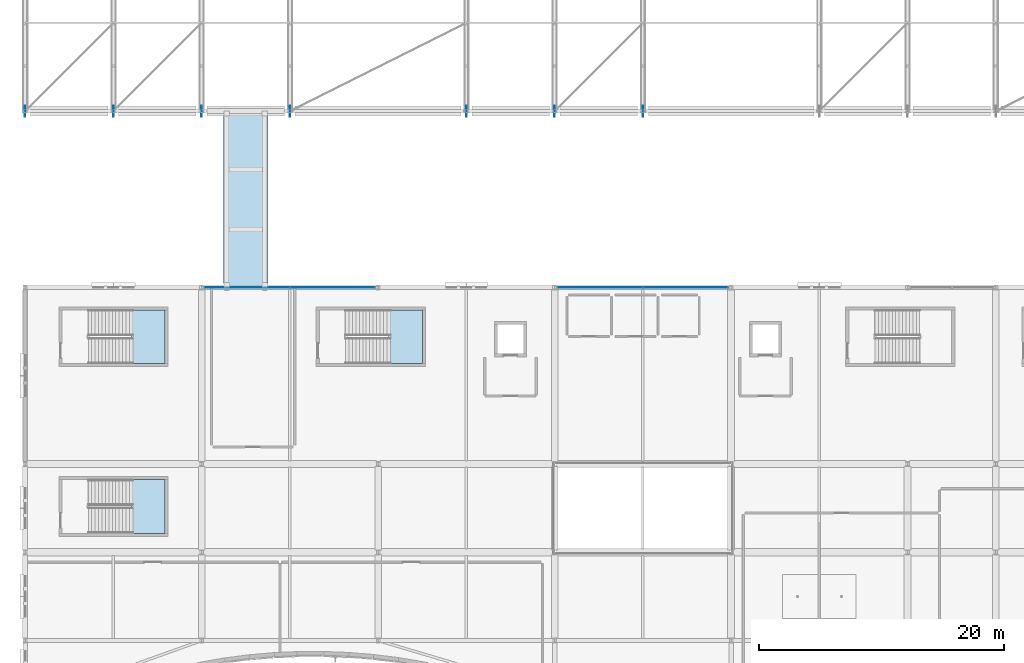
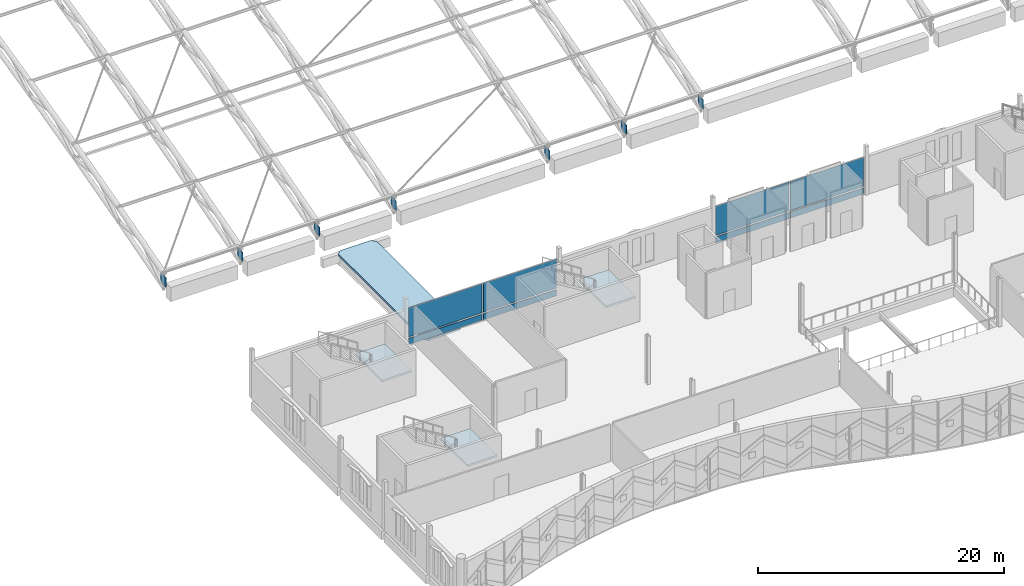
# One storey, part 112 of 193: 15 plates, 4 slabs, 5 elements without a shape of their own.
"""IFC4 building model written with IfcOpenShell, lengths in metres."""

from ifc_helpers import new_model, si_unit, direction, frame, origin, origin_2d, place, context, subcontext, project, spatial, polyline, rectangle, outline, extrude, material, layer, layer_set, type_object, element, aggregate, save


model = new_model("IFC4")

# Units and contexts
model_context = context("Model", 3, precision=1e-05, world=origin(), true_north=direction((0.0, 1.0)))
body_context = subcontext(model_context, "Body", "Model", "MODEL_VIEW")
ifc_project = project(units=[si_unit("LENGTHUNIT", "METRE"), si_unit("AREAUNIT", "SQUARE_METRE"), si_unit("VOLUMEUNIT", "CUBIC_METRE"), si_unit("PLANEANGLEUNIT", "RADIAN"), si_unit("MASSUNIT", "GRAM", prefix="KILO")], contexts=[model_context])

# Site, building, storey
site_placement = place(None, origin())
site = spatial("IfcSite", under=ifc_project, at=site_placement, CompositionType="ELEMENT")
building_placement = place(site_placement, origin())
building = spatial("IfcBuilding", under=site, at=building_placement, Name="Cendralis Lancet Convention Centre", CompositionType="ELEMENT")
storey_placement = place(building_placement, frame((0.0, 0.0, 10.199951171875)))
storey = spatial("IfcBuildingStorey", under=building, at=storey_placement, Name="L02", CompositionType="ELEMENT", Elevation=10.199951171875)

# Curtain wall, plates
ifc_material_1 = material(Name="Anodised bronze architectural aluminium", Category="aluminium")
curtain_wall_type = type_object("IfcCurtainWallType", Name="ARC-CW-CL02", PredefinedType="USERDEFINED", material=ifc_material_1)
curtain_wall_1_placement = place(storey_placement, origin())
curtain_wall_1 = element("IfcCurtainWall", 1, at=curtain_wall_1_placement, inside=storey, type_object=curtain_wall_type, Name="L02 Curtain Wall CW-CL2 #170", ObjectType="CURTAIN WALL", PredefinedType="USERDEFINED")
ifc_material_2 = material(Name="Double-glazed low-E solar-control glass", Category="glass")
ifc_layer_1 = layer(ifc_material_2, 0.035888671875, Name="Double-glazed low-E solar-control glass")
ifc_layer_set_1 = layer_set([ifc_layer_1], Name="Double-glazed low-E solar-control glass")
plate_type_1 = type_object("IfcPlateType", Name="ARC-PL-GL03", PredefinedType="CURTAIN_PANEL", material=ifc_layer_set_1)
plate_1_placement = place(storey_placement, frame((18.10009765625, 36.0, 0.81982421875), z_axis=(0.0, 0.0, 1.0), x_axis=(1.0, 0.0, 0.0)))
plate_1 = element("IfcPlate", 2, at=plate_1_placement, type_object=plate_type_1, Name="Vision Glass Panel CW2-CW-CL2-L02-170-PG0", PredefinedType="CURTAIN_PANEL", context=body_context, shape_type="SweptSolid", body=[
    extrude(rectangle(XDim=6.860107421875, YDim=0.035888671875, at=origin_2d()), origin(), (0.0, 0.0, 1.0), 2.885009765625),
])
plate_2_placement = place(storey_placement, frame((25.10009765625, 36.0, 0.81982421875), z_axis=(0.0, 0.0, 1.0), x_axis=(1.0, 0.0, 0.0)))
plate_2 = element("IfcPlate", 3, at=plate_2_placement, type_object=plate_type_1, Name="Vision Glass Panel CW2-CW-CL2-L02-170-PG1", PredefinedType="CURTAIN_PANEL", context=body_context, shape_type="SweptSolid", body=[
    extrude(rectangle(XDim=6.860107421875, YDim=0.035888671875, at=origin_2d()), origin(), (0.0, 0.0, 1.0), 2.885009765625),
])

curtain_wall_2_placement = place(storey_placement, origin())
curtain_wall_2 = element("IfcCurtainWall", 4, at=curtain_wall_2_placement, inside=storey, type_object=curtain_wall_type, Name="L02 Curtain Wall CW-CL2 #171", ObjectType="CURTAIN WALL", PredefinedType="USERDEFINED")
plate_3_placement = place(storey_placement, frame((46.89990234375, 36.0, 0.81982421875), z_axis=(0.0, 0.0, 1.0), x_axis=(1.0, 0.0, 0.0)))
plate_3 = element("IfcPlate", 5, at=plate_3_placement, type_object=plate_type_1, Name="Vision Glass Panel CW2-CW-CL2-L02-171-PG0", PredefinedType="CURTAIN_PANEL", context=body_context, shape_type="SweptSolid", body=[
    extrude(rectangle(XDim=6.860107421875, YDim=0.035888671875, at=origin_2d()), origin(), (0.0, 0.0, 1.0), 2.885009765625),
])
plate_4_placement = place(storey_placement, frame((53.89990234375, 36.0, 0.81982421875), z_axis=(0.0, 0.0, 1.0), x_axis=(1.0, 0.0, 0.0)))
plate_4 = element("IfcPlate", 6, at=plate_4_placement, type_object=plate_type_1, Name="Vision Glass Panel CW2-CW-CL2-L02-171-PG1", PredefinedType="CURTAIN_PANEL", context=body_context, shape_type="SweptSolid", body=[
    extrude(rectangle(XDim=6.860107421875, YDim=0.035888671875, at=origin_2d()), origin(), (0.0, 0.0, 1.0), 2.885009765625),
])

# Plate
ifc_material_3 = material(Name="Insulated ceramic-fritted spandrel glass", Category="glass")
ifc_layer_2 = layer(ifc_material_3, 0.044921875, Name="Insulated ceramic-fritted spandrel glass")
ifc_layer_set_2 = layer_set([ifc_layer_2], Name="Insulated ceramic-fritted spandrel glass")
plate_type_2 = type_object("IfcPlateType", Name="ARC-PL-SP01", PredefinedType="CURTAIN_PANEL", material=ifc_layer_set_2)
plate_5_placement = place(storey_placement, frame((18.10009765625, 36.0, 0.06982421875), z_axis=(0.0, 0.0, 1.0), x_axis=(1.0, 0.0, 0.0)))
plate_5 = element("IfcPlate", 7, at=plate_5_placement, type_object=plate_type_2, Name="Spandrel Panel CW2-CW-CL2-L02-170-PS0", PredefinedType="CURTAIN_PANEL", context=body_context, shape_type="SweptSolid", body=[
    extrude(rectangle(XDim=6.860107421875, YDim=0.044921875, at=origin_2d()), origin(), (0.0, 0.0, 1.0), 0.610107421875),
])

plate_6_placement = place(storey_placement, frame((25.10009765625, 36.0, 0.06982421875), z_axis=(0.0, 0.0, 1.0), x_axis=(1.0, 0.0, 0.0)))
plate_6 = element("IfcPlate", 8, at=plate_6_placement, type_object=plate_type_2, Name="Spandrel Panel CW2-CW-CL2-L02-170-PS1", PredefinedType="CURTAIN_PANEL", context=body_context, shape_type="SweptSolid", body=[
    extrude(rectangle(XDim=6.860107421875, YDim=0.044921875, at=origin_2d()), origin(), (0.0, 0.0, 1.0), 0.610107421875),
])

aggregate(curtain_wall_1, [plate_5, plate_1, plate_6, plate_2])

plate_7_placement = place(storey_placement, frame((46.89990234375, 36.0, 0.06982421875), z_axis=(0.0, 0.0, 1.0), x_axis=(1.0, 0.0, 0.0)))
plate_7 = element("IfcPlate", 9, at=plate_7_placement, type_object=plate_type_2, Name="Spandrel Panel CW2-CW-CL2-L02-171-PS0", PredefinedType="CURTAIN_PANEL", context=body_context, shape_type="SweptSolid", body=[
    extrude(rectangle(XDim=6.860107421875, YDim=0.044921875, at=origin_2d()), origin(), (0.0, 0.0, 1.0), 0.610107421875),
])

plate_8_placement = place(storey_placement, frame((53.89990234375, 36.0, 0.06982421875), z_axis=(0.0, 0.0, 1.0), x_axis=(1.0, 0.0, 0.0)))
plate_8 = element("IfcPlate", 10, at=plate_8_placement, type_object=plate_type_2, Name="Spandrel Panel CW2-CW-CL2-L02-171-PS1", PredefinedType="CURTAIN_PANEL", context=body_context, shape_type="SweptSolid", body=[
    extrude(rectangle(XDim=6.860107421875, YDim=0.044921875, at=origin_2d()), origin(), (0.0, 0.0, 1.0), 0.610107421875),
])

aggregate(curtain_wall_2, [plate_7, plate_3, plate_8, plate_4])

# Plates
ifc_material_4 = material(Name="Steel S355", Category="steel")
ifc_layer_3 = layer(ifc_material_4, 0.031982421875, Name="Steel S355")
ifc_layer_set_3 = layer_set([ifc_layer_3], Name="Steel S355")
plate_type_3 = type_object("IfcPlateType", Name="STR-PL-GP32", PredefinedType="USERDEFINED", material=ifc_layer_set_3)
plate_9_placement = place(storey_placement, frame((0.0, 50.39990234375, 2.4501953125), z_axis=(0.0, 0.0, 1.0), x_axis=(0.0, 1.0, 0.0)))
element("IfcPlate", 11, at=plate_9_placement, inside=storey, type_object=plate_type_3, Name="Truss Gusset Plate GP-32 AT-V1-01-SPR-S", ObjectType="GUSSET PLATE", PredefinedType="USERDEFINED", context=body_context, shape_type="SweptSolid", body=[
    extrude(rectangle(XDim=0.89990234375, YDim=0.031982421875, at=origin_2d()), origin(), (0.0, 0.0, 1.0), 0.89990234375),
])
ifc_layer_4 = layer(ifc_material_4, 0.031982421875, Name="Steel S355")
ifc_layer_set_4 = layer_set([ifc_layer_4], Name="Steel S355")
plate_type_4 = type_object("IfcPlateType", Name="STR-PL-GP32-INT", PredefinedType="USERDEFINED", material=ifc_layer_set_4)
for number, where, z_axis, x_axis, name in (
    (12, (7.199951171875, 50.39990234375, 2.4501953125), (0.0, 0.0, 1.0), (0.0, 1.0, 0.0), "Truss Gusset Plate GP-32 AT-V1-02-SPR-S"),
    (13, (14.39990234375, 50.39990234375, 2.4501953125), (0.0, 0.0, 1.0), (0.0, 1.0, 0.0), "Truss Gusset Plate GP-32 AT-V1-03-SPR-S"),
    (14, (21.60009765625, 50.39990234375, 2.4501953125), (0.0, 0.0, 1.0), (0.0, 1.0, 0.0), "Truss Gusset Plate GP-32 AT-V1-04-SPR-S"),
    (15, (36.0, 50.39990234375, 2.4501953125), (0.0, 0.0, 1.0), (0.0, 1.0, 0.0), "Truss Gusset Plate GP-32 AT-V1-05-SPR-S"),
    (16, (43.199951171875, 50.39990234375, 2.4501953125), (0.0, 0.0, 1.0), (0.0, 1.0, 0.0), "Truss Gusset Plate GP-32 AT-V1-06-SPR-S"),
    (17, (50.39990234375, 50.39990234375, 2.4501953125), (0.0, 0.0, 1.0), (0.0, 1.0, 0.0), "Truss Gusset Plate GP-32 AT-V1-07-SPR-S"),
):
    element("IfcPlate", number, at=place(storey_placement, frame(where, z_axis=z_axis, x_axis=x_axis)), inside=storey, type_object=plate_type_4, Name=name, ObjectType="GUSSET PLATE", PredefinedType="USERDEFINED", context=body_context, shape_type="SweptSolid", body=[
        extrude(rectangle(XDim=0.89990234375, YDim=0.031982421875, at=origin_2d()), origin(), (0.0, 0.0, 1.0), 0.89990234375),
    ])

# Stair, slab
ifc_material_5 = material(Name="Concrete G35 (C35/45)", Category="concrete")
stair_type = type_object("IfcStairType", Name="ARC-ST-CORE", PredefinedType="HALF_TURN_STAIR", material=ifc_material_5)
stair_1_placement = place(storey_placement, origin())
stair_1 = element("IfcStair", 18, at=stair_1_placement, inside=storey, type_object=stair_type, Name="L02 Protected Exit Stair ST-11", PredefinedType="HALF_TURN_STAIR")
ifc_layer_5 = layer(ifc_material_5, 0.199951171875, Name="Concrete G35 (C35/45)")
ifc_layer_set_5 = layer_set([ifc_layer_5], Name="Concrete G35 (C35/45)")
slab_type_1 = type_object("IfcSlabType", Name="STR-SL-LAND", PredefinedType="LANDING", material=ifc_layer_set_5)
slab_1_placement = place(storey_placement, frame((0.0, 0.0, 2.199951171875)))
slab_1 = element("IfcSlab", 19, at=slab_1_placement, type_object=slab_type_1, Name="ST-11 landing 1", PredefinedType="LANDING", context=body_context, shape_type="SweptSolid", body=[
    extrude(outline(polyline([(29.6298828125, 29.800048828125), (32.39990234375, 29.800048828125), (32.39990234375, 34.179931640625), (29.6298828125, 34.179931640625), (29.6298828125, 29.800048828125)])), origin(), (0.0, 0.0, 1.0), 0.2001953125),
])
aggregate(stair_1, [slab_1])

stair_2_placement = place(storey_placement, origin())
stair_2 = element("IfcStair", 20, at=stair_2_placement, inside=storey, type_object=stair_type, Name="L02 Protected Exit Stair ST-17", PredefinedType="HALF_TURN_STAIR")
slab_2_placement = place(storey_placement, frame((0.0, 0.0, 2.199951171875)))
slab_2 = element("IfcSlab", 21, at=slab_2_placement, type_object=slab_type_1, Name="ST-17 landing 1", PredefinedType="LANDING", context=body_context, shape_type="SweptSolid", body=[
    extrude(outline(polyline([(8.6298828125, 15.949951171875), (11.39990234375, 15.949951171875), (11.39990234375, 20.330078125), (8.6298828125, 20.330078125), (8.6298828125, 15.949951171875)])), origin(), (0.0, 0.0, 1.0), 0.2001953125),
])
aggregate(stair_2, [slab_2])

stair_3_placement = place(storey_placement, origin())
stair_3 = element("IfcStair", 22, at=stair_3_placement, inside=storey, type_object=stair_type, Name="L02 Protected Exit Stair ST-20", PredefinedType="HALF_TURN_STAIR")
slab_3_placement = place(storey_placement, frame((0.0, 0.0, 2.199951171875)))
slab_3 = element("IfcSlab", 23, at=slab_3_placement, type_object=slab_type_1, Name="ST-20 landing 1", PredefinedType="LANDING", context=body_context, shape_type="SweptSolid", body=[
    extrude(outline(polyline([(8.6298828125, 29.800048828125), (11.39990234375, 29.800048828125), (11.39990234375, 34.179931640625), (8.6298828125, 34.179931640625), (8.6298828125, 29.800048828125)])), origin(), (0.0, 0.0, 1.0), 0.2001953125),
])
aggregate(stair_3, [slab_3])

# Slab
ifc_layer_6 = layer(ifc_material_5, 0.199951171875, Name="Concrete G35 (C35/45)")
ifc_layer_set_6 = layer_set([ifc_layer_6], Name="Concrete G35 (C35/45)")
slab_type_2 = type_object("IfcSlabType", Name="STR-SL-RF20", PredefinedType="ROOF", material=ifc_layer_set_6)
slab_4_placement = place(storey_placement, frame((0.0, 0.0, -0.199951171875)))
element("IfcSlab", 24, at=slab_4_placement, inside=storey, type_object=slab_type_2, Name="West Cloister Covered Passage Roof Slab L02", PredefinedType="ROOF", context=body_context, shape_type="SweptSolid", body=[
    extrude(outline(polyline([(16.550048828125, 36.0), (19.449951171875, 36.0), (19.800048828125, 36.35009765625), (19.800048828125, 50.050048828125), (19.449951171875, 50.39990234375), (16.550048828125, 50.39990234375), (16.199951171875, 50.050048828125), (16.199951171875, 36.35009765625), (16.550048828125, 36.0)])), origin(), (0.0, 0.0, 1.0), 0.199951171875),
])

save(model, "model.ifc")
